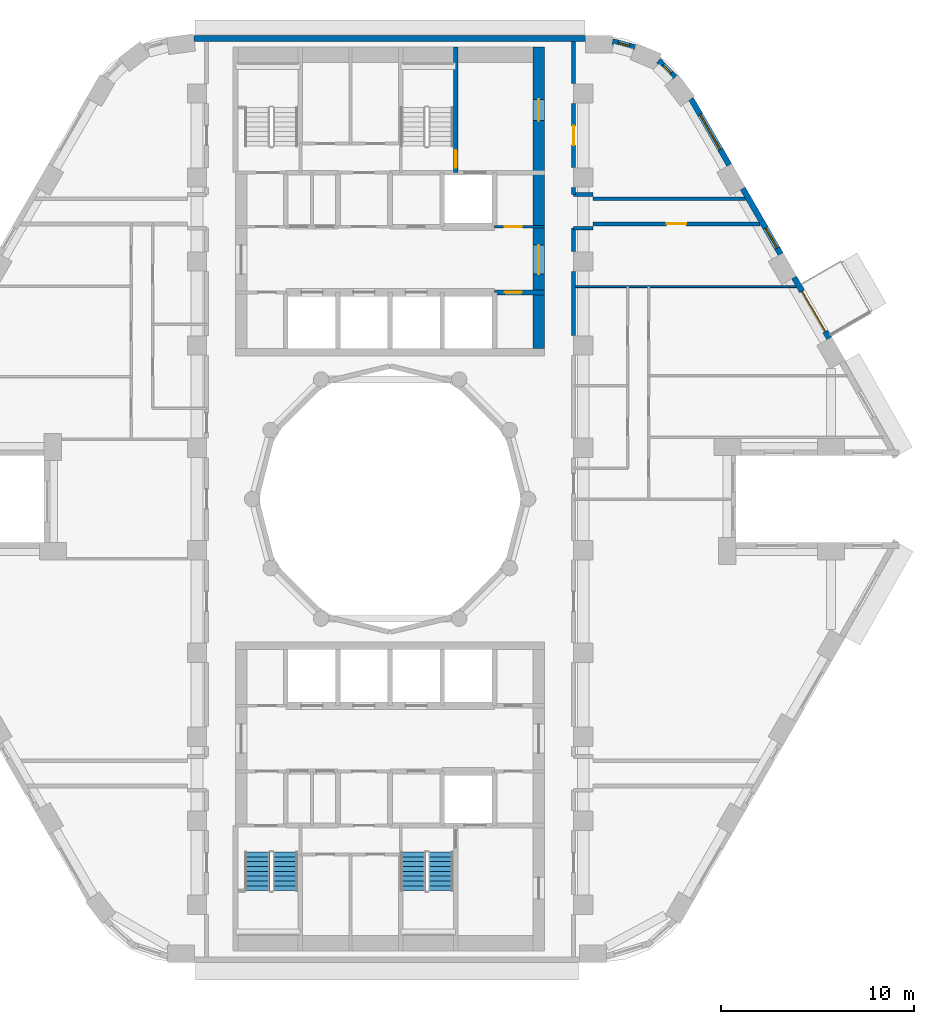
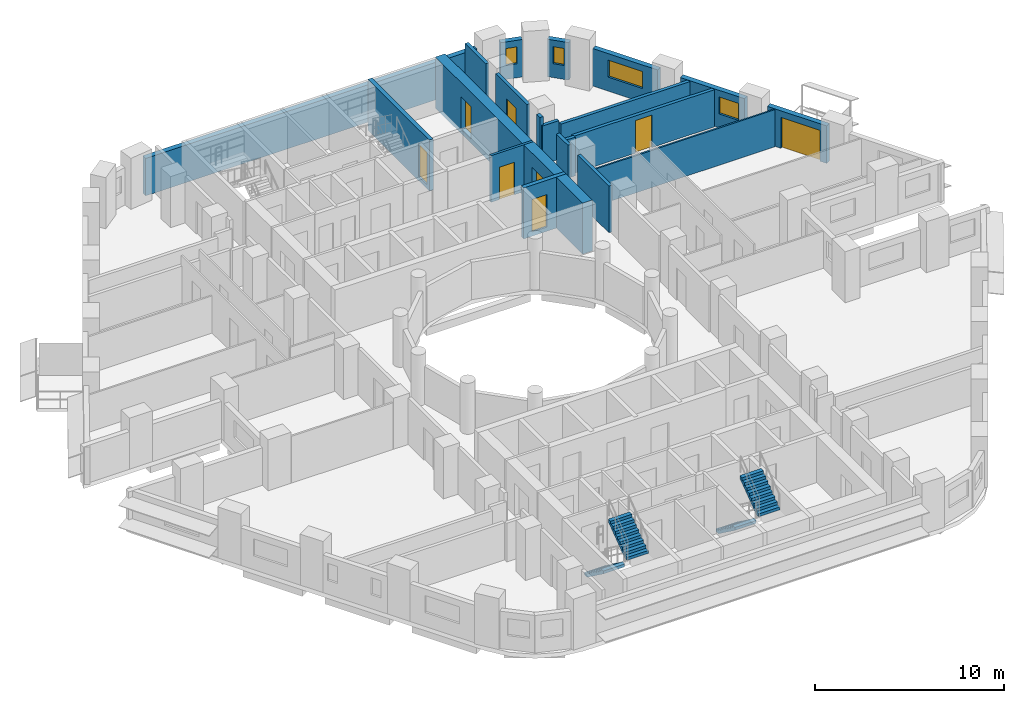
# One storey, part 8 of 14: 20 walls, 8 doors, 4 stair flights, 4 windows, 12 openings, 2 elements without a shape of their own.
"""IFC4 building model written with IfcOpenShell, lengths in metres."""

from ifc_helpers import new_model, si_unit, direction, frame, frame_2d, origin, place, context, subcontext, project, spatial, polyline, rectangle, outline, extrude, material, layer, layer_set, type_object, element, fill, aggregate, save


model = new_model("IFC4")

# Units and contexts
model_context = context("Model", 3, precision=1e-05, world=origin(), true_north=direction((0.0, 1.0)))
body_context = subcontext(model_context, "Body", "Model", "MODEL_VIEW")
ifc_project = project(units=[si_unit("LENGTHUNIT", "METRE"), si_unit("AREAUNIT", "SQUARE_METRE"), si_unit("VOLUMEUNIT", "CUBIC_METRE"), si_unit("PLANEANGLEUNIT", "RADIAN"), si_unit("MASSUNIT", "GRAM", prefix="KILO")], contexts=[model_context])

# Site, building, storey
site_placement = place(None, origin())
site = spatial("IfcSite", under=ifc_project, at=site_placement, CompositionType="ELEMENT")
building_placement = place(site_placement, origin())
building = spatial("IfcBuilding", under=site, at=building_placement, Name="Nakaniwa Court", CompositionType="ELEMENT")
storey_placement = place(building_placement, frame((0.0, 0.0, 114.0)))
storey = spatial("IfcBuildingStorey", under=building, at=storey_placement, Name="L30", CompositionType="ELEMENT", Elevation=114.0)

# Walls
ifc_material_1 = material(Name="Acoustic double stud partition")
ifc_layer_1 = layer(ifc_material_1, 0.199951171875)
ifc_layer_set_1 = layer_set([ifc_layer_1], Name="Acoustic double stud partition")
wall_type_1 = type_object("IfcWallType", Name="Acoustic double stud partition 200", PredefinedType="PARTITIONING", material=ifc_layer_set_1)
wall_1_placement = place(storey_placement, frame((89.5, 88.467041015625, 0.0), z_axis=(0.0, 0.0, 1.0), x_axis=(0.0, 1.0, 0.0)))
element("IfcWall", 1, at=wall_1_placement, inside=storey, type_object=wall_type_1, Name="Partition PW-077", PredefinedType="PARTITIONING", context=body_context, shape_type="SweptSolid", body=[
    extrude(rectangle(XDim=3.31591796875, YDim=0.199951171875, at=frame_2d((1.657958984375, 0.0))), origin(), (0.0, 0.0, 1.0), 3.02490234375),
])
wall_2_placement = place(storey_placement, frame((89.5, 92.81689453125, 0.0), z_axis=(0.0, 0.0, 1.0), x_axis=(0.0, 1.0, 0.0)))
element("IfcWall", 2, at=wall_2_placement, inside=storey, type_object=wall_type_1, Name="Partition PW-078", PredefinedType="PARTITIONING", context=body_context, shape_type="SweptSolid", body=[
    extrude(rectangle(XDim=1.211181640625, YDim=0.199951171875, at=frame_2d((0.60546875, 0.0))), origin(), (0.0, 0.0, 1.0), 3.02490234375),
])
wall_3_placement = place(storey_placement, frame((89.5, 95.77197265625, 0.0), z_axis=(0.0, 0.0, 1.0), x_axis=(0.0, 1.0, 0.0)))
element("IfcWall", 3, at=wall_3_placement, inside=storey, type_object=wall_type_1, Name="Partition PW-079", PredefinedType="PARTITIONING", context=body_context, shape_type="SweptSolid", body=[
    extrude(rectangle(XDim=0.361083984375, YDim=0.199951171875, at=frame_2d((0.1806640625, 0.0))), origin(), (0.0, 0.0, 1.0), 3.02490234375),
])

# Wall, opening, door
wall_4_placement = place(storey_placement, frame((89.5, 100.48291015625, 0.0), z_axis=(0.0, 0.0, 1.0), x_axis=(0.0, -1.0, 0.0)))
wall_4 = element("IfcWall", 4, at=wall_4_placement, inside=storey, type_object=wall_type_1, Name="Partition PW-080", PredefinedType="PARTITIONING", context=body_context, shape_type="SweptSolid", body=[
    extrude(rectangle(XDim=3.31591796875, YDim=0.199951171875, at=frame_2d((1.657958984375, 0.0))), origin(), (0.0, 0.0, 1.0), 3.02490234375),
])
opening_1_placement = place(wall_4_placement, frame((1.157958984375, 0.0, 0.0)))
opening_1 = element("IfcOpeningElement", 5, at=opening_1_placement, cuts=wall_4, Name="Opening D-02-03", PredefinedType="OPENING", context=body_context, shape_type="SweptSolid", body=[
    extrude(rectangle(XDim=1.0, YDim=2.10009765625, at=frame_2d((0.5, 1.050048828125))), frame((0.0, 0.10986328125, 0.0), z_axis=(0.0, -1.0, 0.0), x_axis=(1.0, 0.0, 0.0)), (0.0, 0.0, 1.0), 0.219970703125),
])
ifc_material_2 = material(Name="Solid core timber door set, black veneer", Category="wood")
door_type_1 = type_object("IfcDoorType", Name="Internal door 1000", OperationType="NOTDEFINED", PredefinedType="DOOR", material=ifc_material_2)
door_1_placement = place(opening_1_placement, origin())
door_1 = element("IfcDoor", 6, at=door_1_placement, inside=storey, type_object=door_type_1, Name="Door D-02-03 L30-035", OperationType="SINGLE_SWING_RIGHT", OverallHeight=2.10009765625, OverallWidth=1.0, PredefinedType="DOOR", context=body_context, shape_type="SweptSolid", body=[
    extrude(rectangle(XDim=1.0, YDim=2.10009765625, at=frame_2d((0.5, 1.050048828125))), frame((0.0, 0.02490234375, 0.0), z_axis=(0.0, -1.0, 0.0), x_axis=(1.0, 0.0, 0.0)), (0.0, 0.0, 1.0), 0.050048828125),
])
fill(opening_1, door_1)

# Walls
wall_5_placement = place(storey_placement, frame((89.5, 101.51708984375, 0.0), z_axis=(0.0, 0.0, 1.0), x_axis=(0.0, 1.0, 0.0)))
element("IfcWall", 7, at=wall_5_placement, inside=storey, type_object=wall_type_1, Name="Partition PW-081", PredefinedType="PARTITIONING", context=body_context, shape_type="SweptSolid", body=[
    extrude(rectangle(XDim=2.182861328125, YDim=0.199951171875, at=frame_2d((1.09130859375, 0.0))), origin(), (0.0, 0.0, 1.0), 3.02490234375),
])
wall_6_placement = place(storey_placement, frame((89.5, 95.77490234375, 0.0), z_axis=(0.0, 0.0, 1.0), x_axis=(1.0, 0.0, 0.0)))
element("IfcWall", 8, at=wall_6_placement, inside=storey, type_object=wall_type_1, Name="Partition PW-083", PredefinedType="PARTITIONING", context=body_context, shape_type="SweptSolid", body=[
    extrude(rectangle(XDim=1.0, YDim=0.199951171875, at=frame_2d((0.5, 0.0))), origin(), (0.0, 0.0, 1.0), 2.5048828125),
])
wall_7_placement = place(storey_placement, frame((90.5, 95.550048828125, 0.0), z_axis=(0.0, 0.0, 1.0), x_axis=(1.0, 0.0, 0.0)))
element("IfcWall", 9, at=wall_7_placement, inside=storey, type_object=wall_type_1, Name="Partition PW-085", PredefinedType="PARTITIONING", context=body_context, shape_type="SweptSolid", body=[
    extrude(rectangle(XDim=7.888671875, YDim=0.199951171875, at=frame_2d((3.9443359375, 0.0))), origin(), (0.0, 0.0, 1.0), 2.405029296875),
])

# Wall, opening, door
wall_8_placement = place(storey_placement, frame((99.13916015625, 94.25, 0.0), z_axis=(0.0, 0.0, 1.0), x_axis=(-1.0, 0.0, 0.0)))
wall_8 = element("IfcWall", 10, at=wall_8_placement, inside=storey, type_object=wall_type_1, Name="Partition PW-087", PredefinedType="PARTITIONING", context=body_context, shape_type="SweptSolid", body=[
    extrude(rectangle(XDim=8.63916015625, YDim=0.199951171875, at=frame_2d((4.319580078125, 0.0))), origin(), (0.0, 0.0, 1.0), 2.405029296875),
])
opening_2_placement = place(wall_8_placement, frame((3.819091796875, 0.0, 0.0)))
opening_2 = element("IfcOpeningElement", 11, at=opening_2_placement, cuts=wall_8, Name="Opening D-02-08", PredefinedType="OPENING", context=body_context, shape_type="SweptSolid", body=[
    extrude(rectangle(XDim=1.0, YDim=2.10009765625, at=frame_2d((0.5, 1.050048828125))), frame((0.0, 0.10986328125, 0.0), z_axis=(0.0, -1.0, 0.0), x_axis=(1.0, 0.0, 0.0)), (0.0, 0.0, 1.0), 0.219970703125),
])
door_2_placement = place(opening_2_placement, origin())
door_2 = element("IfcDoor", 12, at=door_2_placement, inside=storey, type_object=door_type_1, Name="Door D-02-08 L30-046", OperationType="SINGLE_SWING_LEFT", OverallHeight=2.10009765625, OverallWidth=1.0, PredefinedType="DOOR", context=body_context, shape_type="SweptSolid", body=[
    extrude(rectangle(XDim=1.0, YDim=2.10009765625, at=frame_2d((0.5, 1.050048828125))), frame((0.0, 0.02490234375, 0.0), z_axis=(0.0, -1.0, 0.0), x_axis=(1.0, 0.0, 0.0)), (0.0, 0.0, 1.0), 0.050048828125),
])
fill(opening_2, door_2)

# Wall
wall_9_placement = place(storey_placement, frame((89.5, 94.02490234375, 0.0), z_axis=(0.0, 0.0, 1.0), x_axis=(1.0, 0.0, 0.0)))
element("IfcWall", 13, at=wall_9_placement, inside=storey, type_object=wall_type_1, Name="Partition PW-089", PredefinedType="PARTITIONING", context=body_context, shape_type="SweptSolid", body=[
    extrude(rectangle(XDim=1.0, YDim=0.199951171875, at=frame_2d((0.5, 0.0))), origin(), (0.0, 0.0, 1.0), 2.5048828125),
])

# Wall, opening, door
ifc_material_3 = material(Name="Charcoal ceramic cladding")
ifc_layer_2 = layer(ifc_material_3, 0.02, Name="Ceramic cladding")
ifc_material_4 = material(Name="Ventilated air cavity")
ifc_layer_3 = layer(ifc_material_4, 0.04, ventilated=True, Name="Ventilated cavity")
ifc_material_5 = material(Name="Mineral wool insulation")
ifc_layer_4 = layer(ifc_material_5, 0.1, Name="Insulation")
ifc_material_6 = material(Name="Cement bonded sheathing board")
ifc_layer_5 = layer(ifc_material_6, 0.012, Name="Sheathing")
ifc_material_7 = material(Name="Cold-formed galvanised stud frame with mineral wool infill")
ifc_layer_6 = layer(ifc_material_7, 0.1, Name="Stud frame")
ifc_material_8 = material(Name="Fire-rated gypsum plasterboard lining")
ifc_layer_7 = layer(ifc_material_8, 0.028, Name="Lining")
ifc_layer_set_2 = layer_set([ifc_layer_2, ifc_layer_3, ifc_layer_4, ifc_layer_5, ifc_layer_6, ifc_layer_7], Name="Charcoal ceramic faced external wall system")
wall_type_2 = type_object("IfcWallType", Name="Black ceramic faced external wall 300", PredefinedType="SOLIDWALL", material=ifc_layer_set_2)
wall_10_placement = place(storey_placement, frame((102.734619140625, 88.322509765625, 0.0), z_axis=(0.0, 0.0, 1.0), x_axis=(-0.500009139881, 0.866020126807, 0.0)))
wall_10 = element("IfcWall", 14, at=wall_10_placement, inside=storey, type_object=wall_type_2, Name="L30 external wall 03", PredefinedType="SOLIDWALL", context=body_context, shape_type="SweptSolid", body=[
    extrude(rectangle(XDim=3.63671875, YDim=0.300048828125, at=frame_2d((1.818359375, 0.0))), origin(), (0.0, 0.0, 1.0), 2.425048828125),
])
opening_3_placement = place(wall_10_placement, frame((0.406982421875, 0.0, 0.0)))
opening_3 = element("IfcOpeningElement", 15, at=opening_3_placement, cuts=wall_10, Name="Opening XD13.01", PredefinedType="OPENING", context=body_context, shape_type="SweptSolid", body=[
    extrude(rectangle(XDim=2.39990234375, YDim=2.0, at=frame_2d((1.199951171875, 1.0))), frame((0.0, 0.159912109375, 0.0), z_axis=(0.0, -1.0, 0.0), x_axis=(1.0, 0.0, 0.0)), (0.0, 0.0, 1.0), 0.320068359375),
])
ifc_material_9 = material(Name="Black powder-coated aluminium frame with dark laminated glass", Category="aluminium")
door_type_2 = type_object("IfcDoorType", Name="Balcony sliding door 2400x2000", OperationType="DOUBLE_DOOR_SLIDING", PredefinedType="DOOR", material=ifc_material_9)
door_3_placement = place(opening_3_placement, origin())
door_3 = element("IfcDoor", 16, at=door_3_placement, inside=storey, type_object=door_type_2, Name="L30 balcony sliding door 02", OperationType="DOUBLE_DOOR_SLIDING", OverallHeight=2.0, OverallWidth=2.39990234375, PredefinedType="DOOR", context=body_context, shape_type="SweptSolid", body=[
    extrude(rectangle(XDim=2.39990234375, YDim=2.0, at=frame_2d((1.199951171875, 1.0))), frame((0.0, 0.02490234375, 0.0), z_axis=(0.0, -1.0, 0.0), x_axis=(1.0, 0.0, 0.0)), (0.0, 0.0, 1.0), 0.050048828125),
])
fill(opening_3, door_3)

# Wall, opening, window
wall_11_placement = place(storey_placement, frame((100.22021484375, 92.677490234375, 0.0), z_axis=(0.0, 0.0, 1.0), x_axis=(-0.499957037901, 0.866050206543, 0.0)))
wall_11 = element("IfcWall", 17, at=wall_11_placement, inside=storey, type_object=wall_type_2, Name="L30 external wall 04", PredefinedType="SOLIDWALL", context=body_context, shape_type="SweptSolid", body=[
    extrude(rectangle(XDim=3.933837890625, YDim=0.300048828125, at=frame_2d((1.966796875, 0.0))), origin(), (0.0, 0.0, 1.0), 2.425048828125),
])
opening_4_placement = place(wall_11_placement, frame((0.368896484375, 0.0, 0.89990234375)))
opening_4 = element("IfcOpeningElement", 18, at=opening_4_placement, cuts=wall_11, Name="Opening W6.04", PredefinedType="OPENING", context=body_context, shape_type="SweptSolid", body=[
    extrude(rectangle(XDim=1.199951171875, YDim=1.10009765625, at=frame_2d((0.60009765625, 0.550048828125))), frame((0.0, 0.159912109375, 0.0), z_axis=(0.0, -1.0, 0.0), x_axis=(1.0, 0.0, 0.0)), (0.0, 0.0, 1.0), 0.320068359375),
])
ifc_material_10 = material(Name="Black anodised aluminium frame with dark low-E laminated double glazing", Category="aluminium")
window_type_1 = type_object("IfcWindowType", Name="Dark glass window 1200x1100 sill 900", PartitioningType="SINGLE_PANEL", PredefinedType="WINDOW", material=ifc_material_10)
window_1_placement = place(opening_4_placement, origin())
window_1 = element("IfcWindow", 19, at=window_1_placement, inside=storey, type_object=window_type_1, Name="L30 habitable room window 04-0", OverallHeight=1.10009765625, OverallWidth=1.199951171875, PartitioningType="SINGLE_PANEL", PredefinedType="WINDOW", context=body_context, shape_type="SweptSolid", body=[
    extrude(rectangle(XDim=1.199951171875, YDim=1.10009765625, at=frame_2d((0.60009765625, 0.550048828125))), frame((0.0, 0.030029296875, 0.0), z_axis=(0.0, -1.0, 0.0), x_axis=(1.0, 0.0, 0.0)), (0.0, 0.0, 1.0), 0.06005859375),
])
fill(opening_4, window_1)

wall_12_placement = place(storey_placement, frame((97.557373046875, 97.289794921875, 0.0), z_axis=(0.0, 0.0, 1.0), x_axis=(-0.500043828347, 0.866000097998, 0.0)))
wall_12 = element("IfcWall", 20, at=wall_12_placement, inside=storey, type_object=wall_type_2, Name="L30 external wall 05", PredefinedType="SOLIDWALL", context=body_context, shape_type="SweptSolid", body=[
    extrude(rectangle(XDim=3.967529296875, YDim=0.300048828125, at=frame_2d((1.98388671875, 0.0))), origin(), (0.0, 0.0, 1.0), 2.425048828125),
])
opening_5_placement = place(wall_12_placement, frame((0.92236328125, 0.0, 0.89990234375)))
opening_5 = element("IfcOpeningElement", 21, at=opening_5_placement, cuts=wall_12, Name="Opening W7.05", PredefinedType="OPENING", context=body_context, shape_type="SweptSolid", body=[
    extrude(rectangle(XDim=2.10009765625, YDim=1.10009765625, at=frame_2d((1.050048828125, 0.550048828125))), frame((0.0, 0.159912109375, 0.0), z_axis=(0.0, -1.0, 0.0), x_axis=(1.0, 0.0, 0.0)), (0.0, 0.0, 1.0), 0.320068359375),
])
window_type_2 = type_object("IfcWindowType", Name="Dark glass window 2100x1100 sill 900", PartitioningType="SINGLE_PANEL", PredefinedType="WINDOW", material=ifc_material_10)
window_2_placement = place(opening_5_placement, origin())
window_2 = element("IfcWindow", 22, at=window_2_placement, inside=storey, type_object=window_type_2, Name="L30 habitable room window 05-0", OverallHeight=1.10009765625, OverallWidth=2.10009765625, PartitioningType="SINGLE_PANEL", PredefinedType="WINDOW", context=body_context, shape_type="SweptSolid", body=[
    extrude(rectangle(XDim=2.10009765625, YDim=1.10009765625, at=frame_2d((1.050048828125, 0.550048828125))), frame((0.0, 0.030029296875, 0.0), z_axis=(0.0, -1.0, 0.0), x_axis=(1.0, 0.0, 0.0)), (0.0, 0.0, 1.0), 0.06005859375),
])
fill(opening_5, window_2)

wall_13_placement = place(storey_placement, frame((94.738037109375, 101.839111328125, 0.0), z_axis=(0.0, 0.0, 1.0), x_axis=(-0.697032216592, 0.717039809936, 0.0)))
wall_13 = element("IfcWall", 23, at=wall_13_placement, inside=storey, type_object=wall_type_2, Name="L30 external wall 06", PredefinedType="SOLIDWALL", context=body_context, shape_type="SweptSolid", body=[
    extrude(rectangle(XDim=1.2080078125, YDim=0.300048828125, at=frame_2d((0.60400390625, 0.0))), origin(), (0.0, 0.0, 1.0), 2.425048828125),
])
opening_6_placement = place(wall_13_placement, frame((0.279296875, 0.0, 0.89990234375)))
opening_6 = element("IfcOpeningElement", 24, at=opening_6_placement, cuts=wall_13, Name="Opening W8.06", PredefinedType="OPENING", context=body_context, shape_type="SweptSolid", body=[
    extrude(rectangle(XDim=0.60009765625, YDim=1.10009765625, at=frame_2d((0.300048828125, 0.550048828125))), frame((0.0, 0.159912109375, 0.0), z_axis=(0.0, -1.0, 0.0), x_axis=(1.0, 0.0, 0.0)), (0.0, 0.0, 1.0), 0.320068359375),
])
window_type_3 = type_object("IfcWindowType", Name="Dark glass window 600x1100 sill 900", PartitioningType="SINGLE_PANEL", PredefinedType="WINDOW", material=ifc_material_10)
window_3_placement = place(opening_6_placement, origin())
window_3 = element("IfcWindow", 25, at=window_3_placement, inside=storey, type_object=window_type_3, Name="L30 habitable room window 06-0", OverallHeight=1.10009765625, OverallWidth=0.60009765625, PartitioningType="SINGLE_PANEL", PredefinedType="WINDOW", context=body_context, shape_type="SweptSolid", body=[
    extrude(rectangle(XDim=0.60009765625, YDim=1.10009765625, at=frame_2d((0.300048828125, 0.550048828125))), frame((0.0, 0.030029296875, 0.0), z_axis=(0.0, -1.0, 0.0), x_axis=(1.0, 0.0, 0.0)), (0.0, 0.0, 1.0), 0.06005859375),
])
fill(opening_6, window_3)

wall_14_placement = place(storey_placement, frame((92.669189453125, 103.3818359375, 0.0), z_axis=(0.0, 0.0, 1.0), x_axis=(-0.965278131029, 0.261224290136, 0.0)))
wall_14 = element("IfcWall", 26, at=wall_14_placement, inside=storey, type_object=wall_type_2, Name="L30 external wall 07", PredefinedType="SOLIDWALL", context=body_context, shape_type="SweptSolid", body=[
    extrude(rectangle(XDim=1.189697265625, YDim=0.300048828125, at=frame_2d((0.5947265625, 0.0))), origin(), (0.0, 0.0, 1.0), 2.425048828125),
])
opening_7_placement = place(wall_14_placement, frame((0.28466796875, 0.0, 0.89990234375)))
opening_7 = element("IfcOpeningElement", 27, at=opening_7_placement, cuts=wall_14, Name="Opening W8.07", PredefinedType="OPENING", context=body_context, shape_type="SweptSolid", body=[
    extrude(rectangle(XDim=0.60009765625, YDim=1.10009765625, at=frame_2d((0.300048828125, 0.550048828125))), frame((0.0, 0.159912109375, 0.0), z_axis=(0.0, -1.0, 0.0), x_axis=(1.0, 0.0, 0.0)), (0.0, 0.0, 1.0), 0.320068359375),
])
window_4_placement = place(opening_7_placement, origin())
window_4 = element("IfcWindow", 28, at=window_4_placement, inside=storey, type_object=window_type_3, Name="L30 habitable room window 07-0", OverallHeight=1.10009765625, OverallWidth=0.60009765625, PartitioningType="SINGLE_PANEL", PredefinedType="WINDOW", context=body_context, shape_type="SweptSolid", body=[
    extrude(rectangle(XDim=0.60009765625, YDim=1.10009765625, at=frame_2d((0.300048828125, 0.550048828125))), frame((0.0, 0.030029296875, 0.0), z_axis=(0.0, -1.0, 0.0), x_axis=(1.0, 0.0, 0.0)), (0.0, 0.0, 1.0), 0.06005859375),
])
fill(opening_7, window_4)

# Wall
wall_15_placement = place(storey_placement, frame((90.128662109375, 103.85009765625, 0.0), z_axis=(0.0, 0.0, 1.0), x_axis=(-1.0, 0.0, 0.0)))
element("IfcWall", 29, at=wall_15_placement, inside=storey, type_object=wall_type_2, Name="L30 external wall 08", PredefinedType="SOLIDWALL", context=body_context, shape_type="SweptSolid", body=[
    extrude(rectangle(XDim=20.290771484375, YDim=0.300048828125, at=frame_2d((10.1455078125, 0.0))), origin(), (0.0, 0.0, 1.0), 2.425048828125),
])

# Wall, opening, door
ifc_material_11 = material(Name="Blockwork partition", Category="masonry")
ifc_layer_8 = layer(ifc_material_11, 0.14990234375)
ifc_layer_set_3 = layer_set([ifc_layer_8], Name="Blockwork partition")
wall_type_3 = type_object("IfcWallType", Name="Blockwork partition 150", PredefinedType="PARTITIONING", material=ifc_layer_set_3)
wall_16_placement = place(storey_placement, frame((85.39697265625, 94.10009765625, 0.0), z_axis=(0.0, 0.0, 1.0), x_axis=(1.0, 0.0, 0.0)))
wall_16 = element("IfcWall", 30, at=wall_16_placement, inside=storey, type_object=wall_type_3, Name="Partition PW-018", PredefinedType="PARTITIONING", context=body_context, shape_type="SweptSolid", body=[
    extrude(rectangle(XDim=2.60302734375, YDim=0.14990234375, at=frame_2d((1.301513671875, 0.0))), origin(), (0.0, 0.0, 1.0), 3.02490234375),
])
opening_8_placement = place(wall_16_placement, frame((0.528076171875, 0.0, 0.0)))
opening_8 = element("IfcOpeningElement", 31, at=opening_8_placement, cuts=wall_16, Name="Opening D-05-06", PredefinedType="OPENING", context=body_context, shape_type="SweptSolid", body=[
    extrude(rectangle(XDim=0.89990234375, YDim=2.10009765625, at=frame_2d((0.449951171875, 1.050048828125))), frame((0.0, 0.0849609375, 0.0), z_axis=(0.0, -1.0, 0.0), x_axis=(1.0, 0.0, 0.0)), (0.0, 0.0, 1.0), 0.169921875),
])
ifc_material_12 = material(Name="Fire rated steel door set", Category="steel")
door_type_3 = type_object("IfcDoorType", Name="Service room door 900", OperationType="NOTDEFINED", PredefinedType="DOOR", material=ifc_material_12)
door_4_placement = place(opening_8_placement, origin())
door_4 = element("IfcDoor", 32, at=door_4_placement, inside=storey, type_object=door_type_3, Name="Door D-05-06 L30-008", OperationType="SINGLE_SWING_LEFT", OverallHeight=2.10009765625, OverallWidth=0.89990234375, PredefinedType="DOOR", context=body_context, shape_type="SweptSolid", body=[
    extrude(rectangle(XDim=0.89990234375, YDim=2.10009765625, at=frame_2d((0.449951171875, 1.050048828125))), frame((0.0, 0.02490234375, 0.0), z_axis=(0.0, -1.0, 0.0), x_axis=(1.0, 0.0, 0.0)), (0.0, 0.0, 1.0), 0.050048828125),
])
fill(opening_8, door_4)

# Wall, openings, doors
ifc_material_13 = material(Name="Concrete C80/100", Category="concrete")
ifc_layer_9 = layer(ifc_material_13, 0.60009765625)
ifc_layer_set_4 = layer_set([ifc_layer_9], Name="Concrete C80/100")
wall_type_4 = type_object("IfcWallType", Name="Concrete core side wall 600 C80", PredefinedType="SHEAR", material=ifc_layer_set_4)
wall_17_placement = place(storey_placement, frame((87.699951171875, 103.39990234375, -0.27490234375), z_axis=(0.0, 0.0, 1.0), x_axis=(0.0, -1.0, 0.0)))
wall_17 = element("IfcWall", 33, at=wall_17_placement, inside=storey, type_object=wall_type_4, Name="Core wall SW-15", PredefinedType="SHEAR", context=body_context, shape_type="SweptSolid", body=[
    extrude(rectangle(XDim=15.599853515625, YDim=0.60009765625, at=frame_2d((7.7998046875, 0.0))), origin(), (0.0, 0.0, 1.0), 3.2998046875),
])
opening_9_placement = place(wall_17_placement, frame((10.25, 0.0, 0.27490234375)))
opening_9 = element("IfcOpeningElement", 34, at=opening_9_placement, cuts=wall_17, Name="Opening D-07-01", PredefinedType="OPENING", context=body_context, shape_type="SweptSolid", body=[
    extrude(rectangle(XDim=1.5, YDim=2.10009765625, at=frame_2d((0.75, 1.050048828125))), frame((0.0, 0.31005859375, 0.0), z_axis=(0.0, -1.0, 0.0), x_axis=(1.0, 0.0, 0.0)), (0.0, 0.0, 1.0), 0.6201171875),
])
opening_10_placement = place(wall_17_placement, frame((2.699951171875, 0.0, 0.27490234375)))
opening_10 = element("IfcOpeningElement", 35, at=opening_10_placement, cuts=wall_17, Name="Opening D-10-01", PredefinedType="OPENING", context=body_context, shape_type="SweptSolid", body=[
    extrude(rectangle(XDim=1.10009765625, YDim=2.10009765625, at=frame_2d((0.550048828125, 1.050048828125))), frame((0.0, 0.31005859375, 0.0), z_axis=(0.0, -1.0, 0.0), x_axis=(1.0, 0.0, 0.0)), (0.0, 0.0, 1.0), 0.6201171875),
])
door_type_4 = type_object("IfcDoorType", Name="Firefighting lobby door 1100", OperationType="NOTDEFINED", PredefinedType="DOOR", material=ifc_material_12)
door_5_placement = place(opening_10_placement, origin())
door_5 = element("IfcDoor", 36, at=door_5_placement, inside=storey, type_object=door_type_4, Name="Door D-10-01 L30-049", OperationType="SINGLE_SWING_RIGHT", OverallHeight=2.10009765625, OverallWidth=1.10009765625, PredefinedType="DOOR", context=body_context, shape_type="SweptSolid", body=[
    extrude(rectangle(XDim=1.10009765625, YDim=2.10009765625, at=frame_2d((0.550048828125, 1.050048828125))), frame((0.0, 0.02490234375, 0.0), z_axis=(0.0, -1.0, 0.0), x_axis=(1.0, 0.0, 0.0)), (0.0, 0.0, 1.0), 0.050048828125),
])
fill(opening_10, door_5)
ifc_material_14 = material(Name="Glazed fire rated steel double door set", Category="steel")
door_type_5 = type_object("IfcDoorType", Name="Lobby double door 1500", OperationType="NOTDEFINED", PredefinedType="DOOR", material=ifc_material_14)
door_6_placement = place(opening_9_placement, origin())
door_6 = element("IfcDoor", 37, at=door_6_placement, inside=storey, type_object=door_type_5, Name="Door D-07-01 L30-047", OperationType="DOUBLE_DOOR_SINGLE_SWING", OverallHeight=2.10009765625, OverallWidth=1.5, PredefinedType="DOOR", context=body_context, shape_type="SweptSolid", body=[
    extrude(rectangle(XDim=1.5, YDim=2.10009765625, at=frame_2d((0.75, 1.050048828125))), frame((0.0, 0.02490234375, 0.0), z_axis=(0.0, -1.0, 0.0), x_axis=(1.0, 0.0, 0.0)), (0.0, 0.0, 1.0), 0.050048828125),
])
fill(opening_9, door_6)

# Wall, opening, door
ifc_layer_10 = layer(ifc_material_13, 0.25)
ifc_layer_set_5 = layer_set([ifc_layer_10], Name="Concrete C80/100")
wall_type_5 = type_object("IfcWallType", Name="Concrete shaft wall 250 C80", PredefinedType="SHEAR", material=ifc_layer_set_5)
wall_18_placement = place(storey_placement, frame((88.0, 90.699951171875, -0.27490234375), z_axis=(0.0, 0.0, 1.0), x_axis=(-1.0, 0.0, 0.0)))
wall_18 = element("IfcWall", 38, at=wall_18_placement, inside=storey, type_object=wall_type_5, Name="Core wall SW-14", PredefinedType="SHEAR", context=body_context, shape_type="SweptSolid", body=[
    extrude(rectangle(XDim=2.60009765625, YDim=0.25, at=frame_2d((1.300048828125, 0.0))), origin(), (0.0, 0.0, 1.0), 3.2998046875),
])
opening_11_placement = place(wall_18_placement, frame((1.175048828125, 0.0, 0.27490234375)))
opening_11 = element("IfcOpeningElement", 39, at=opening_11_placement, cuts=wall_18, Name="Opening D-05-02", PredefinedType="OPENING", context=body_context, shape_type="SweptSolid", body=[
    extrude(rectangle(XDim=0.89990234375, YDim=2.10009765625, at=frame_2d((0.449951171875, 1.050048828125))), frame((0.0, 0.135009765625, 0.0), z_axis=(0.0, -1.0, 0.0), x_axis=(1.0, 0.0, 0.0)), (0.0, 0.0, 1.0), 0.27001953125),
])
door_7_placement = place(opening_11_placement, origin())
door_7 = element("IfcDoor", 40, at=door_7_placement, inside=storey, type_object=door_type_3, Name="Door D-05-02 L30-002", OperationType="SINGLE_SWING_LEFT", OverallHeight=2.10009765625, OverallWidth=0.89990234375, PredefinedType="DOOR", context=body_context, shape_type="SweptSolid", body=[
    extrude(rectangle(XDim=0.89990234375, YDim=2.10009765625, at=frame_2d((0.449951171875, 1.050048828125))), frame((0.0, 0.02490234375, 0.0), z_axis=(0.0, -1.0, 0.0), x_axis=(1.0, 0.0, 0.0)), (0.0, 0.0, 1.0), 0.050048828125),
])
fill(opening_11, door_7)

wall_19_placement = place(storey_placement, frame((83.39990234375, 103.39990234375, -0.27490234375), z_axis=(0.0, 0.0, 1.0), x_axis=(0.0, -1.0, 0.0)))
wall_19 = element("IfcWall", 41, at=wall_19_placement, inside=storey, type_object=wall_type_5, Name="Core wall SW-30", PredefinedType="SHEAR", context=body_context, shape_type="SweptSolid", body=[
    extrude(rectangle(XDim=6.5, YDim=0.25, at=frame_2d((3.25, 0.0))), origin(), (0.0, 0.0, 1.0), 3.2998046875),
])
opening_12_placement = place(wall_19_placement, frame((5.35009765625, 0.0, 0.27490234375)))
opening_12 = element("IfcOpeningElement", 42, at=opening_12_placement, cuts=wall_19, Name="Opening D-11-01", PredefinedType="OPENING", context=body_context, shape_type="SweptSolid", body=[
    extrude(rectangle(XDim=0.89990234375, YDim=2.10009765625, at=frame_2d((0.449951171875, 1.050048828125))), frame((0.0, 0.135009765625, 0.0), z_axis=(0.0, -1.0, 0.0), x_axis=(1.0, 0.0, 0.0)), (0.0, 0.0, 1.0), 0.27001953125),
])
door_type_6 = type_object("IfcDoorType", Name="Stair door 900", OperationType="NOTDEFINED", PredefinedType="DOOR", material=ifc_material_12)
door_8_placement = place(opening_12_placement, origin())
door_8 = element("IfcDoor", 43, at=door_8_placement, inside=storey, type_object=door_type_6, Name="Door D-11-01 L30-013", OperationType="SINGLE_SWING_LEFT", OverallHeight=2.10009765625, OverallWidth=0.89990234375, PredefinedType="DOOR", context=body_context, shape_type="SweptSolid", body=[
    extrude(rectangle(XDim=0.89990234375, YDim=2.10009765625, at=frame_2d((0.449951171875, 1.050048828125))), frame((0.0, 0.02490234375, 0.0), z_axis=(0.0, -1.0, 0.0), x_axis=(1.0, 0.0, 0.0)), (0.0, 0.0, 1.0), 0.050048828125),
])
fill(opening_12, door_8)

# Wall
ifc_material_15 = material(Name="Single stud plasterboard partition")
ifc_layer_11 = layer(ifc_material_15, 0.10009765625)
ifc_layer_set_6 = layer_set([ifc_layer_11], Name="Single stud plasterboard partition")
wall_type_6 = type_object("IfcWallType", Name="Single stud plasterboard partition 100", PredefinedType="PARTITIONING", material=ifc_layer_set_6)
wall_20_placement = place(storey_placement, frame((89.5, 91.0, 0.0), z_axis=(0.0, 0.0, 1.0), x_axis=(1.0, 0.0, 0.0)))
element("IfcWall", 44, at=wall_20_placement, inside=storey, type_object=wall_type_6, Name="Partition PW-115", PredefinedType="PARTITIONING", context=body_context, shape_type="SweptSolid", body=[
    extrude(rectangle(XDim=11.515380859375, YDim=0.10009765625, at=frame_2d((5.7578125, 0.0))), origin(), (0.0, 0.0, 1.0), 2.405029296875),
])

# Stair, stair flights
stair_type = type_object("IfcStairType", Name="Dog leg stair 1300 wide 18 risers", PredefinedType="HALF_TURN_STAIR", material=ifc_material_13)
stair_1_placement = place(storey_placement, origin())
stair_1 = element("IfcStair", 45, at=stair_1_placement, inside=storey, type_object=stair_type, Name="L30 Stair ST3", PredefinedType="HALF_TURN_STAIR")
stair_flight_type = type_object("IfcStairFlightType", Name="Stair flight 1300 wide 9 risers", PredefinedType="STRAIGHT", material=ifc_material_13)
stair_flight_1_placement = place(storey_placement, frame((73.125, 61.72509765625, 0.0), z_axis=(0.0, 0.0, 1.0), x_axis=(0.0, -1.0, 0.0)))
stair_flight_1 = element("IfcStairFlight", 46, at=stair_flight_1_placement, type_object=stair_flight_type, Name="ST3 flight 1", NumberOfRisers=9, NumberOfTreads=8, PredefinedType="STRAIGHT", RiserHeight=0.183333333, TreadLength=0.25, context=body_context, shape_type="SweptSolid", body=[
    extrude(outline(polyline([(0.0, 0.0), (0.0, 0.026123046875), (0.0, 0.052490234375), (0.0, 0.07861328125), (0.0, 0.104736328125), (0.0, 0.130859375), (0.0, 0.1572265625), (0.0, 0.183349609375), (0.25, 0.183349609375), (0.25, 0.36669921875), (0.5, 0.36669921875), (0.5, 0.550048828125), (0.75, 0.550048828125), (0.75, 0.7333984375), (1.0, 0.7333984375), (1.0, 0.916748046875), (1.25, 0.916748046875), (1.25, 1.10009765625), (1.5, 1.10009765625), (1.5, 1.283447265625), (1.75, 1.283447265625), (1.75, 1.466552734375), (2.0, 1.466552734375), (2.0, 1.64990234375), (2.0, 1.59716796875), (2.0, 1.54443359375), (2.0, 1.49169921875), (2.0, 1.43896484375), (2.0, 1.38623046875), (2.0, 1.33349609375), (2.0, 1.28076171875), (0.25341796875, 0.0), (0.0, 0.0)])), frame((0.0, 0.64990234375, 0.0), z_axis=(0.0, -1.0, 0.0), x_axis=(1.0, 0.0, 0.0)), (0.0, 0.0, 1.0), 1.300048828125),
])
stair_flight_2_placement = place(storey_placement, frame((74.574951171875, 59.72509765625, 1.64990234375), z_axis=(0.0, 0.0, 1.0), x_axis=(0.0, 1.0, 0.0)))
stair_flight_2 = element("IfcStairFlight", 47, at=stair_flight_2_placement, type_object=stair_flight_type, Name="ST3 flight 2", NumberOfRisers=9, NumberOfTreads=8, PredefinedType="STRAIGHT", RiserHeight=0.183333333, TreadLength=0.25, context=body_context, shape_type="SweptSolid", body=[
    extrude(outline(polyline([(0.0, 0.0), (0.0, 0.026123046875), (0.0, 0.052490234375), (0.0, 0.07861328125), (0.0, 0.104736328125), (0.0, 0.130859375), (0.0, 0.1572265625), (0.0, 0.183349609375), (0.25, 0.183349609375), (0.25, 0.36669921875), (0.5, 0.36669921875), (0.5, 0.550048828125), (0.75, 0.550048828125), (0.75, 0.7333984375), (1.0, 0.7333984375), (1.0, 0.916748046875), (1.25, 0.916748046875), (1.25, 1.10009765625), (1.5, 1.10009765625), (1.5, 1.283447265625), (1.75, 1.283447265625), (1.75, 1.466552734375), (2.0, 1.466552734375), (2.0, 1.64990234375), (2.0, 1.59716796875), (2.0, 1.54443359375), (2.0, 1.49169921875), (2.0, 1.43896484375), (2.0, 1.38623046875), (2.0, 1.33349609375), (2.0, 1.28076171875), (0.25341796875, 0.0), (0.0, 0.0)])), frame((0.0, 0.64990234375, 0.0), z_axis=(0.0, -1.0, 0.0), x_axis=(1.0, 0.0, 0.0)), (0.0, 0.0, 1.0), 1.300048828125),
])
aggregate(stair_1, [stair_flight_1, stair_flight_2])

stair_2_placement = place(storey_placement, origin())
stair_2 = element("IfcStair", 48, at=stair_2_placement, inside=storey, type_object=stair_type, Name="L30 Stair ST4", PredefinedType="HALF_TURN_STAIR")
stair_flight_3_placement = place(storey_placement, frame((81.175048828125, 61.72509765625, 0.0), z_axis=(0.0, 0.0, 1.0), x_axis=(0.0, -1.0, 0.0)))
stair_flight_3 = element("IfcStairFlight", 49, at=stair_flight_3_placement, type_object=stair_flight_type, Name="ST4 flight 1", NumberOfRisers=9, NumberOfTreads=8, PredefinedType="STRAIGHT", RiserHeight=0.183333333, TreadLength=0.25, context=body_context, shape_type="SweptSolid", body=[
    extrude(outline(polyline([(0.0, 0.0), (0.0, 0.026123046875), (0.0, 0.052490234375), (0.0, 0.07861328125), (0.0, 0.104736328125), (0.0, 0.130859375), (0.0, 0.1572265625), (0.0, 0.183349609375), (0.25, 0.183349609375), (0.25, 0.36669921875), (0.5, 0.36669921875), (0.5, 0.550048828125), (0.75, 0.550048828125), (0.75, 0.7333984375), (1.0, 0.7333984375), (1.0, 0.916748046875), (1.25, 0.916748046875), (1.25, 1.10009765625), (1.5, 1.10009765625), (1.5, 1.283447265625), (1.75, 1.283447265625), (1.75, 1.466552734375), (2.0, 1.466552734375), (2.0, 1.64990234375), (2.0, 1.59716796875), (2.0, 1.54443359375), (2.0, 1.49169921875), (2.0, 1.43896484375), (2.0, 1.38623046875), (2.0, 1.33349609375), (2.0, 1.28076171875), (0.25341796875, 0.0), (0.0, 0.0)])), frame((0.0, 0.64990234375, 0.0), z_axis=(0.0, -1.0, 0.0), x_axis=(1.0, 0.0, 0.0)), (0.0, 0.0, 1.0), 1.300048828125),
])
stair_flight_4_placement = place(storey_placement, frame((82.625, 59.72509765625, 1.64990234375), z_axis=(0.0, 0.0, 1.0), x_axis=(0.0, 1.0, 0.0)))
stair_flight_4 = element("IfcStairFlight", 50, at=stair_flight_4_placement, type_object=stair_flight_type, Name="ST4 flight 2", NumberOfRisers=9, NumberOfTreads=8, PredefinedType="STRAIGHT", RiserHeight=0.183333333, TreadLength=0.25, context=body_context, shape_type="SweptSolid", body=[
    extrude(outline(polyline([(0.0, 0.0), (0.0, 0.026123046875), (0.0, 0.052490234375), (0.0, 0.07861328125), (0.0, 0.104736328125), (0.0, 0.130859375), (0.0, 0.1572265625), (0.0, 0.183349609375), (0.25, 0.183349609375), (0.25, 0.36669921875), (0.5, 0.36669921875), (0.5, 0.550048828125), (0.75, 0.550048828125), (0.75, 0.7333984375), (1.0, 0.7333984375), (1.0, 0.916748046875), (1.25, 0.916748046875), (1.25, 1.10009765625), (1.5, 1.10009765625), (1.5, 1.283447265625), (1.75, 1.283447265625), (1.75, 1.466552734375), (2.0, 1.466552734375), (2.0, 1.64990234375), (2.0, 1.59716796875), (2.0, 1.54443359375), (2.0, 1.49169921875), (2.0, 1.43896484375), (2.0, 1.38623046875), (2.0, 1.33349609375), (2.0, 1.28076171875), (0.25341796875, 0.0), (0.0, 0.0)])), frame((0.0, 0.64990234375, 0.0), z_axis=(0.0, -1.0, 0.0), x_axis=(1.0, 0.0, 0.0)), (0.0, 0.0, 1.0), 1.300048828125),
])
aggregate(stair_2, [stair_flight_3, stair_flight_4])

save(model, "model.ifc")
